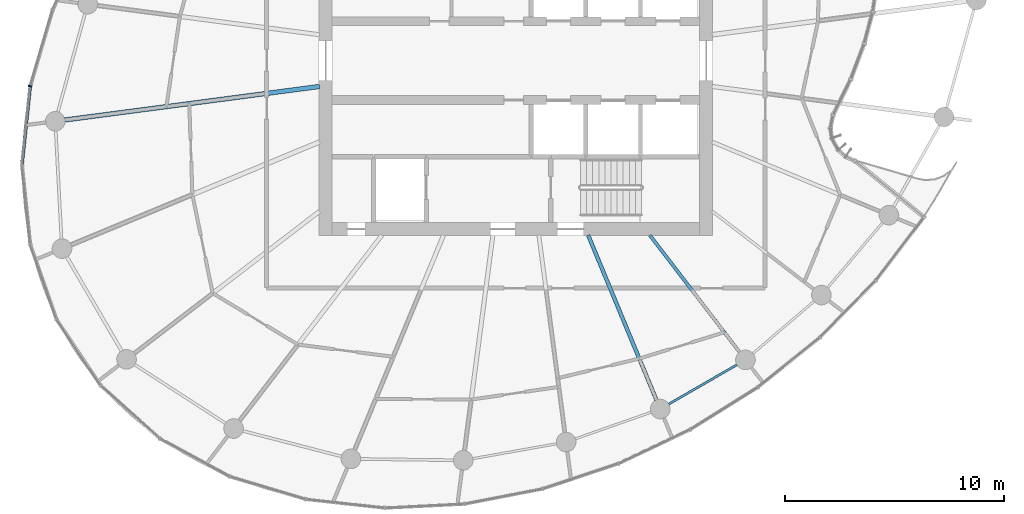
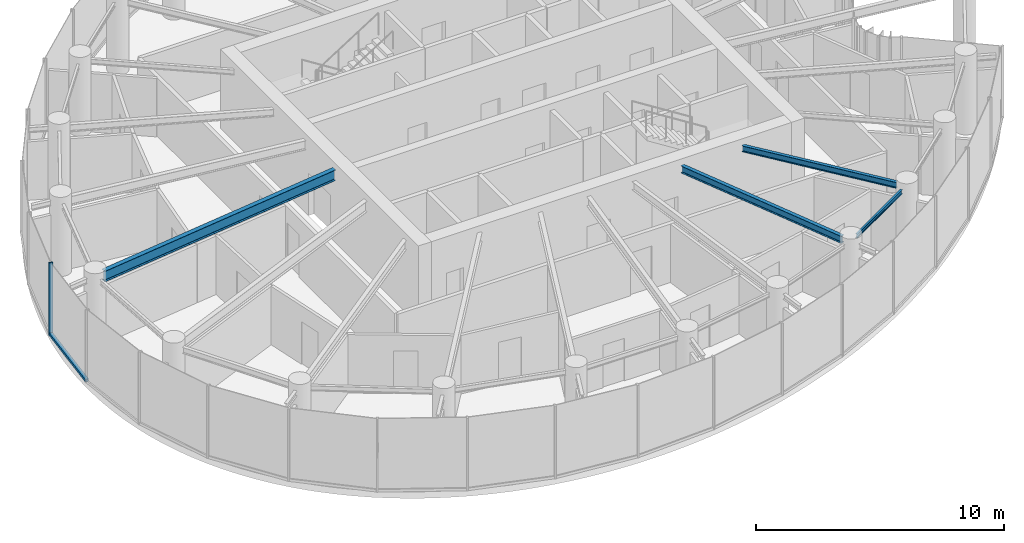
# One storey, part 3 of 17: 4 beams, 2 members, 1 element without a shape of its own.
"""IFC4 building model written with IfcOpenShell, lengths in metres."""

from ifc_helpers import new_model, si_unit, direction, frame, origin, origin_2d, place, context, subcontext, project, spatial, rectangle, i_section, extrude, source, transform, mapped, material, layer, layer_set, material_profile, profile_set, type_object, element, aggregate, save


model = new_model("IFC4")

# Units and contexts
model_context = context("Model", 3, precision=1e-05, world=origin(), true_north=direction((0.0, 1.0)))
body_context = subcontext(model_context, "Body", "Model", "MODEL_VIEW")
ifc_project = project(units=[si_unit("LENGTHUNIT", "METRE"), si_unit("AREAUNIT", "SQUARE_METRE"), si_unit("VOLUMEUNIT", "CUBIC_METRE"), si_unit("PLANEANGLEUNIT", "RADIAN"), si_unit("MASSUNIT", "GRAM", prefix="KILO")], contexts=[model_context])

# Site, building, storey
site_placement = place(None, origin())
site = spatial("IfcSite", under=ifc_project, at=site_placement, CompositionType="ELEMENT")
building_placement = place(site_placement, origin())
building = spatial("IfcBuilding", under=site, at=building_placement, Name="Spindrift Exchange Tower", CompositionType="ELEMENT")
storey_placement = place(building_placement, frame((0.0, 0.0, 187.699951171875)))
storey = spatial("IfcBuildingStorey", under=building, at=storey_placement, Name="L45", CompositionType="ELEMENT", Elevation=187.699951171875)

# Beams
ifc_material_1 = material(Name="Steel Grade 300", Category="steel")
ifc_material_profile_1 = material_profile(ifc_material_1, i_section(OverallWidth=0.208984375, OverallDepth=0.528076171875, WebThickness=0.009521484375, FlangeThickness=0.01318359375, FilletRadius=0.013916015625, at=origin_2d()), Name="530UB82.0")
ifc_profile_set_1 = profile_set([ifc_material_profile_1], Name="Steel Grade 300")
beam_type_1 = type_object("IfcBeamType", Name="Floor Beam 530UB82.0 Steel Grade 300", PredefinedType="BEAM", material=ifc_profile_set_1)
shared_shape_1 = source(origin(), body_context, "Body", "SweptSolid", [
    extrude(i_section(OverallWidth=0.208984375, OverallDepth=0.528076171875, WebThickness=0.009521484375, FlangeThickness=0.01318359375, FilletRadius=0.013916015625, at=origin_2d()), origin(), (0.0, 0.0, 1.0), 11.75634765625),
])
beam_1_placement = place(storey_placement, frame((43.019775390625, 46.817626953125, 3.316162109375), z_axis=(-0.991445811455, -0.13051897543, 0.0), x_axis=(0.13051897543, -0.991445811455, 0.0)))
element("IfcBeam", 1, at=beam_1_placement, inside=storey, type_object=beam_type_1, Name="L45 radial beam R13A", PredefinedType="BEAM", context=body_context, shape_type="MappedRepresentation", body=[
    mapped(shared_shape_1, transform((0.0, 0.0, 0.0), scale=1.0)),
])
ifc_material_profile_2 = material_profile(ifc_material_1, i_section(OverallWidth=0.1708984375, OverallDepth=0.35205078125, WebThickness=0.0068359375, FlangeThickness=0.009765625, FilletRadius=0.013916015625, at=origin_2d()), Name="360UB44.7")
ifc_profile_set_2 = profile_set([ifc_material_profile_2], Name="Steel Grade 300")
beam_type_2 = type_object("IfcBeamType", Name="Floor Beam 360UB44.7 Steel Grade 300", PredefinedType="BEAM", material=ifc_profile_set_2)
shared_shape_2 = source(origin(), body_context, "Body", "SweptSolid", [
    extrude(i_section(OverallWidth=0.1708984375, OverallDepth=0.35205078125, WebThickness=0.0068359375, FlangeThickness=0.009765625, FilletRadius=0.013916015625, at=origin_2d()), origin(), (0.0, 0.0, 1.0), 8.1748046875),
])
beam_2_placement = place(storey_placement, frame((55.30615234375, 40.0185546875, 3.404052734375), z_axis=(0.382655117626, -0.923891260352, 0.0), x_axis=(0.923891260352, 0.382655117626, 0.0)))
element("IfcBeam", 2, at=beam_2_placement, inside=storey, type_object=beam_type_2, Name="L45 radial beam R20A", PredefinedType="BEAM", context=body_context, shape_type="MappedRepresentation", body=[
    mapped(shared_shape_2, transform((0.0, 0.0, 0.0), scale=1.0)),
])
ifc_material_profile_3 = material_profile(ifc_material_1, i_section(OverallWidth=0.14892578125, OverallDepth=0.298095703125, WebThickness=0.005615234375, FlangeThickness=0.008056640625, FilletRadius=0.012939453125, at=origin_2d()), Name="310UB32.0")
ifc_profile_set_3 = profile_set([ifc_material_profile_3], Name="Steel Grade 300")
beam_type_3 = type_object("IfcBeamType", Name="Floor Beam 310UB32.0 Steel Grade 300", PredefinedType="BEAM", material=ifc_profile_set_3)
shared_shape_3 = source(origin(), body_context, "Body", "SweptSolid", [
    extrude(i_section(OverallWidth=0.14892578125, OverallDepth=0.298095703125, WebThickness=0.005615234375, FlangeThickness=0.008056640625, FilletRadius=0.012939453125, at=origin_2d()), origin(), (0.0, 0.0, 1.0), 6.753173828125),
])
beam_3_placement = place(storey_placement, frame((58.12646484375, 40.015869140625, 3.43115234375), z_axis=(0.608761639459, -0.793353178807, 0.0), x_axis=(0.793353178807, 0.608761639459, 0.0)))
element("IfcBeam", 3, at=beam_3_placement, inside=storey, type_object=beam_type_3, Name="L45 radial beam R21A", PredefinedType="BEAM", context=body_context, shape_type="MappedRepresentation", body=[
    mapped(shared_shape_3, transform((0.0, 0.0, 0.0), scale=1.0)),
])
ifc_material_profile_4 = material_profile(ifc_material_1, i_section(OverallWidth=0.09912109375, OverallDepth=0.197998046875, WebThickness=0.00439453125, FlangeThickness=0.007080078125, FilletRadius=0.010986328125, at=origin_2d()), Name="200UB18.2")
ifc_profile_set_4 = profile_set([ifc_material_profile_4], Name="Steel Grade 300")
beam_type_4 = type_object("IfcBeamType", Name="Edge Beam 200UB18.2 Steel Grade 300", PredefinedType="SPANDREL", material=ifc_profile_set_4)
shared_shape_4 = source(origin(), body_context, "Body", "SweptSolid", [
    extrude(i_section(OverallWidth=0.09912109375, OverallDepth=0.197998046875, WebThickness=0.00439453125, FlangeThickness=0.007080078125, FilletRadius=0.010986328125, at=origin_2d()), origin(), (0.0, 0.0, 1.0), 3.64208984375),
])
beam_4_placement = place(storey_placement, frame((58.971435546875, 32.283447265625, 3.48095703125), z_axis=(0.866364093123, 0.499412913476, 0.0), x_axis=(-0.499412913476, 0.866364093123, 0.0)))
element("IfcBeam", 4, at=beam_4_placement, inside=storey, type_object=beam_type_4, Name="L45 edge beam E20", PredefinedType="SPANDREL", context=body_context, shape_type="MappedRepresentation", body=[
    mapped(shared_shape_4, transform((0.0, 0.0, 0.0), scale=1.0)),
])

# Curtain wall, members
ifc_material_2 = material(Name="Fritted laminated glass with bronze frame", Category="glass")
ifc_layer = layer(ifc_material_2, 0.169921875)
ifc_layer_set = layer_set([ifc_layer], Name="ZONE 4 BRONZE FRITTED WALL")
curtain_wall_type = type_object("IfcCurtainWallType", Name="ZONE 4 BRONZE FRITTED WALL", PredefinedType="NOTDEFINED", material=ifc_layer_set)
curtain_wall_placement = place(storey_placement, origin())
curtain_wall = element("IfcCurtainWall", 5, at=curtain_wall_placement, inside=storey, type_object=curtain_wall_type, Name="L45 Zone 4 Bronze Fritted Wall run 2", PredefinedType="NOTDEFINED")
ifc_material_3 = material(Name="Bronze anodised aluminium", Category="aluminium")
ifc_material_profile_5 = material_profile(ifc_material_3, rectangle(XDim=0.14990234375, YDim=0.125, at=origin_2d()), Name="ZONE 4 BRONZE FRITTED WALL TRANSOM 150X125")
ifc_profile_set_5 = profile_set([ifc_material_profile_5], Name="Bronze anodised aluminium")
member_type_1 = type_object("IfcMemberType", Name="ZONE 4 BRONZE FRITTED WALL TRANSOM 150X125", PredefinedType="USERDEFINED", material=ifc_profile_set_5)
shared_shape_5 = source(origin(), body_context, "Body", "SweptSolid", [
    extrude(rectangle(XDim=0.14990234375, YDim=0.125, at=origin_2d()), origin(), (0.0, 0.0, 1.0), 3.573974609375),
])
member_1_placement = place(storey_placement, frame((29.785400390625, 46.797607421875, 0.0625), z_axis=(-0.103763763357, -0.99460197135, 0.0), x_axis=(0.99460197135, -0.103763763357, 0.0)))
member_1 = element("IfcMember", 6, at=member_1_placement, type_object=member_type_1, Name="L45 transom CW-4.10", ObjectType="TRANSOM", PredefinedType="USERDEFINED", context=body_context, shape_type="MappedRepresentation", body=[
    mapped(shared_shape_5, transform((0.0, 0.0, 0.0), scale=1.0)),
])
ifc_material_profile_6 = material_profile(ifc_material_3, rectangle(XDim=0.06494140625, YDim=0.169921875, at=origin_2d()), Name="ZONE 4 BRONZE FRITTED WALL MULLION 65X170")
ifc_profile_set_6 = profile_set([ifc_material_profile_6], Name="Bronze anodised aluminium")
member_type_2 = type_object("IfcMemberType", Name="ZONE 4 BRONZE FRITTED WALL MULLION 65X170", PredefinedType="MULLION", material=ifc_profile_set_6)
shared_shape_6 = source(origin(), body_context, "Body", "SweptSolid", [
    extrude(rectangle(XDim=0.06494140625, YDim=0.169921875, at=origin_2d()), origin(), (0.0, 0.0, 1.0), 3.580078125),
])
member_2_placement = place(storey_placement, frame((29.788818359375, 46.830078125, 0.0), z_axis=(0.0, 0.0, 1.0), x_axis=(-0.193296982244, -0.981140294074, 0.0)))
member_2 = element("IfcMember", 7, at=member_2_placement, type_object=member_type_2, Name="L45 mullion CW-4.10", PredefinedType="MULLION", context=body_context, shape_type="MappedRepresentation", body=[
    mapped(shared_shape_6, transform((0.0, 0.0, 0.0), scale=1.0)),
])
aggregate(curtain_wall, [member_2, member_1])

save(model, "model.ifc")
